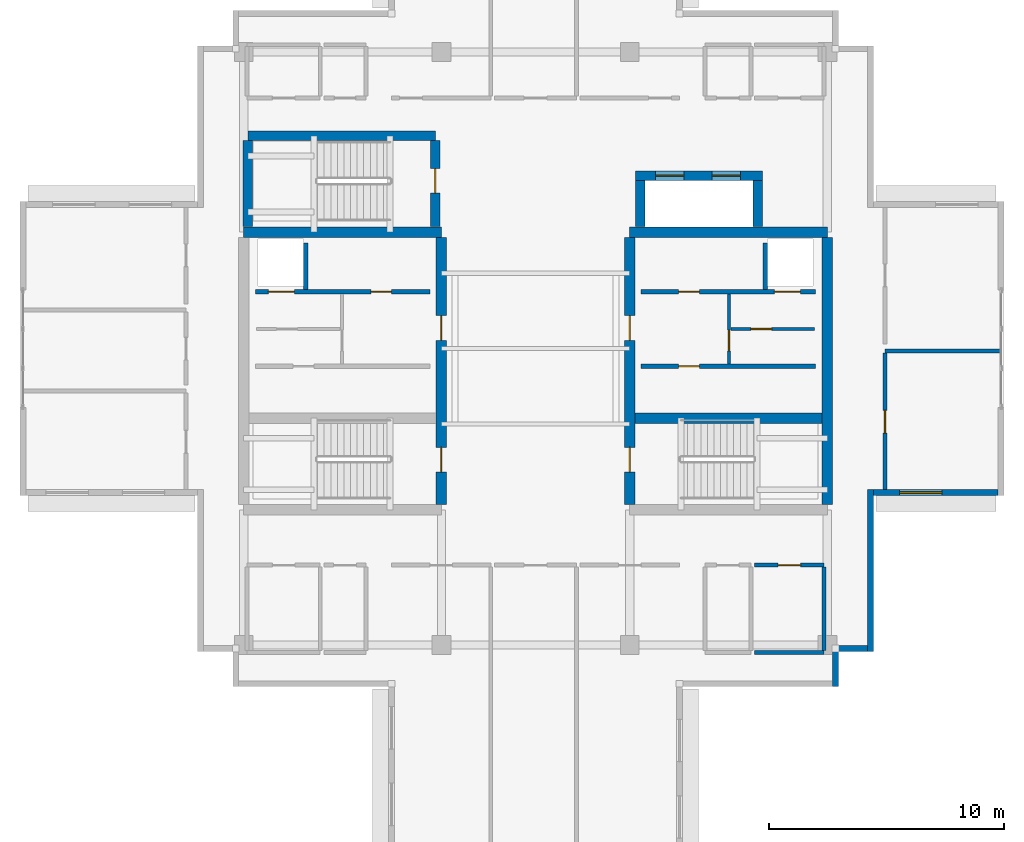
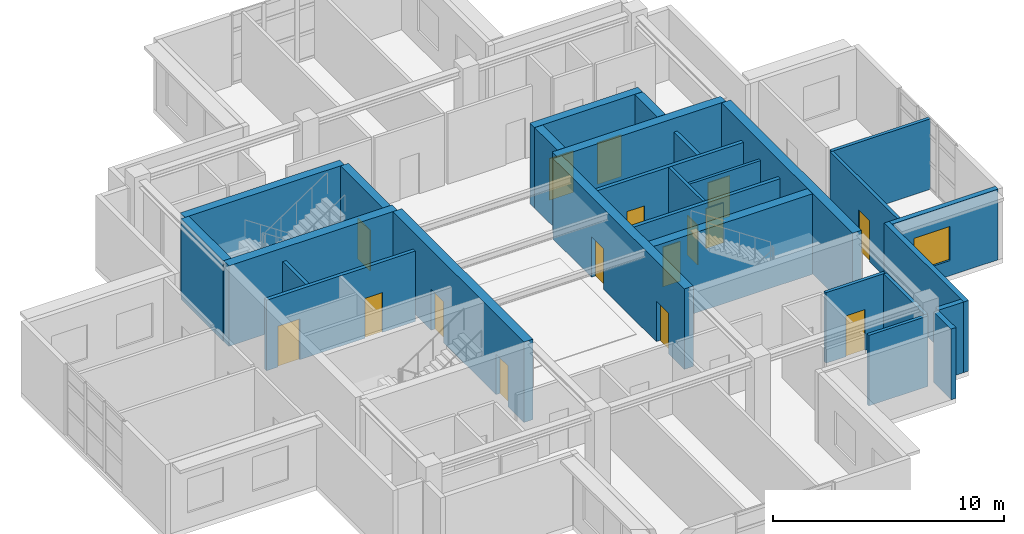
# One storey, part 11 of 16: 28 walls, 16 doors, 1 window, 17 openings.
"""IFC4 building model written with IfcOpenShell, lengths in metres."""

from ifc_helpers import new_model, si_unit, direction, frame, frame_2d, origin, place, context, subcontext, project, spatial, rectangle, extrude, material, layer, layer_set, type_object, element, fill, save


model = new_model("IFC4")

# Units and contexts
model_context = context("Model", 3, precision=1e-05, world=origin(), true_north=direction((0.0, 1.0)))
body_context = subcontext(model_context, "Body", "Model", "MODEL_VIEW")
ifc_project = project(units=[si_unit("LENGTHUNIT", "METRE"), si_unit("AREAUNIT", "SQUARE_METRE"), si_unit("VOLUMEUNIT", "CUBIC_METRE"), si_unit("PLANEANGLEUNIT", "RADIAN"), si_unit("MASSUNIT", "GRAM", prefix="KILO")], contexts=[model_context])

# Site, building, storey
site_placement = place(None, origin())
site = spatial("IfcSite", under=ifc_project, at=site_placement, CompositionType="ELEMENT")
building_placement = place(site_placement, origin())
building = spatial("IfcBuilding", under=site, at=building_placement, Name="Qingluan Cross Belvedere", CompositionType="ELEMENT")
storey_placement = place(building_placement, frame((0.0, 0.0, 308.39990234375)))
storey = spatial("IfcBuildingStorey", under=building, at=storey_placement, Name="L76", CompositionType="ELEMENT", Elevation=308.39990234375)

# Wall
ifc_material_1 = material(Name="Concrete C50", Category="concrete")
ifc_layer_1 = layer(ifc_material_1, 0.449951171875, Name="CoreShearWall_450")
ifc_layer_set_1 = layer_set([ifc_layer_1], Name="Concrete C50")
wall_type_1 = type_object("IfcWallType", Name="CoreShearWall_450", PredefinedType="SHEAR", material=ifc_layer_set_1)
wall_1_placement = place(storey_placement, frame((-12.39990234375, 4.949951171875, 0.0), z_axis=(0.0, 0.0, 1.0), x_axis=(1.0, 0.0, 0.0)))
element("IfcWall", 1, at=wall_1_placement, inside=storey, type_object=wall_type_1, Name="Split core W shear wall L76-N", PredefinedType="SHEAR", context=body_context, shape_type="SweptSolid", body=[
    extrude(rectangle(XDim=8.39990234375, YDim=0.449951171875, at=frame_2d((4.199951171875, 0.0))), origin(), (0.0, 0.0, 1.0), 4.25),
])

# Wall, openings, doors
wall_2_placement = place(storey_placement, frame((-4.0, -6.6201171875, 0.0), z_axis=(0.0, 0.0, 1.0), x_axis=(0.0, 1.0, 0.0)))
wall_2 = element("IfcWall", 2, at=wall_2_placement, inside=storey, type_object=wall_type_1, Name="Split core W shear wall L76-E", PredefinedType="SHEAR", context=body_context, shape_type="SweptSolid", body=[
    extrude(rectangle(XDim=11.340087890625, YDim=0.449951171875, at=frame_2d((5.669921875, 0.0))), origin(), (0.0, 0.0, 1.0), 4.25),
])
opening_1_placement = place(wall_2_placement, frame((1.3701171875, 0.0, 0.0)))
opening_1 = element("IfcOpeningElement", 3, at=opening_1_placement, cuts=wall_2, Name="Opening FD-B11", PredefinedType="OPENING", context=body_context, shape_type="SweptSolid", body=[
    extrude(rectangle(XDim=1.050048828125, YDim=2.14990234375, at=frame_2d((0.52490234375, 1.074951171875))), frame((0.0, 0.23486328125, 0.0), z_axis=(0.0, -1.0, 0.0), x_axis=(1.0, 0.0, 0.0)), (0.0, 0.0, 1.0), 0.469970703125),
])
opening_2_placement = place(wall_2_placement, frame((6.969970703125, 0.0, 0.0)))
opening_2 = element("IfcOpeningElement", 4, at=opening_2_placement, cuts=wall_2, Name="Opening FD-B11", PredefinedType="OPENING", context=body_context, shape_type="SweptSolid", body=[
    extrude(rectangle(XDim=1.050048828125, YDim=2.14990234375, at=frame_2d((0.52490234375, 1.074951171875))), frame((0.0, 0.23486328125, 0.0), z_axis=(0.0, -1.0, 0.0), x_axis=(1.0, 0.0, 0.0)), (0.0, 0.0, 1.0), 0.469970703125),
])
ifc_material_2 = material(Name="Steel Class B smoke-seal fire door", Category="steel")
door_type_1 = type_object("IfcDoorType", Name="StairLobbyFireDoor_FDB", OperationType="NOTDEFINED", PredefinedType="DOOR", material=ifc_material_2)
door_1_placement = place(opening_1_placement, origin())
door_1 = element("IfcDoor", 5, at=door_1_placement, inside=storey, type_object=door_type_1, Name="Smoke-proof stair ST1 fire door L76", OperationType="SINGLE_SWING_RIGHT", OverallHeight=2.14990234375, OverallWidth=1.050048828125, PredefinedType="DOOR", context=body_context, shape_type="SweptSolid", body=[
    extrude(rectangle(XDim=1.050048828125, YDim=2.14990234375, at=frame_2d((0.52490234375, 1.074951171875))), frame((0.0, 0.02490234375, 0.0), z_axis=(0.0, -1.0, 0.0), x_axis=(1.0, 0.0, 0.0)), (0.0, 0.0, 1.0), 0.050048828125),
])
fill(opening_1, door_1)
door_2_placement = place(opening_2_placement, origin())
door_2 = element("IfcDoor", 6, at=door_2_placement, inside=storey, type_object=door_type_1, Name="Firefighting lobby West fire door L76", OperationType="SINGLE_SWING_RIGHT", OverallHeight=2.14990234375, OverallWidth=1.050048828125, PredefinedType="DOOR", context=body_context, shape_type="SweptSolid", body=[
    extrude(rectangle(XDim=1.050048828125, YDim=2.14990234375, at=frame_2d((0.52490234375, 1.074951171875))), frame((0.0, 0.02490234375, 0.0), z_axis=(0.0, -1.0, 0.0), x_axis=(1.0, 0.0, 0.0)), (0.0, 0.0, 1.0), 0.050048828125),
])
fill(opening_2, door_2)

# Wall
wall_3_placement = place(storey_placement, frame((4.0, 4.949951171875, 0.0), z_axis=(0.0, 0.0, 1.0), x_axis=(1.0, 0.0, 0.0)))
element("IfcWall", 7, at=wall_3_placement, inside=storey, type_object=wall_type_1, Name="Split core E shear wall L76-N", PredefinedType="SHEAR", context=body_context, shape_type="SweptSolid", body=[
    extrude(rectangle(XDim=8.39990234375, YDim=0.449951171875, at=frame_2d((4.199951171875, 0.0))), origin(), (0.0, 0.0, 1.0), 4.25),
])

# Wall, openings, doors
wall_4_placement = place(storey_placement, frame((4.0, -6.6201171875, 0.0), z_axis=(0.0, 0.0, 1.0), x_axis=(0.0, 1.0, 0.0)))
wall_4 = element("IfcWall", 8, at=wall_4_placement, inside=storey, type_object=wall_type_1, Name="Split core E shear wall L76-W", PredefinedType="SHEAR", context=body_context, shape_type="SweptSolid", body=[
    extrude(rectangle(XDim=11.340087890625, YDim=0.449951171875, at=frame_2d((5.669921875, 0.0))), origin(), (0.0, 0.0, 1.0), 4.25),
])
opening_3_placement = place(wall_4_placement, frame((1.3701171875, 0.0, 0.0)))
opening_3 = element("IfcOpeningElement", 9, at=opening_3_placement, cuts=wall_4, Name="Opening FD-B11", PredefinedType="OPENING", context=body_context, shape_type="SweptSolid", body=[
    extrude(rectangle(XDim=1.050048828125, YDim=2.14990234375, at=frame_2d((0.52490234375, 1.074951171875))), frame((0.0, 0.23486328125, 0.0), z_axis=(0.0, -1.0, 0.0), x_axis=(1.0, 0.0, 0.0)), (0.0, 0.0, 1.0), 0.469970703125),
])
opening_4_placement = place(wall_4_placement, frame((6.969970703125, 0.0, 0.0)))
opening_4 = element("IfcOpeningElement", 10, at=opening_4_placement, cuts=wall_4, Name="Opening FD-B11", PredefinedType="OPENING", context=body_context, shape_type="SweptSolid", body=[
    extrude(rectangle(XDim=1.050048828125, YDim=2.14990234375, at=frame_2d((0.52490234375, 1.074951171875))), frame((0.0, 0.23486328125, 0.0), z_axis=(0.0, -1.0, 0.0), x_axis=(1.0, 0.0, 0.0)), (0.0, 0.0, 1.0), 0.469970703125),
])
door_3_placement = place(opening_3_placement, origin())
door_3 = element("IfcDoor", 11, at=door_3_placement, inside=storey, type_object=door_type_1, Name="Smoke-proof stair ST2 fire door L76", OperationType="SINGLE_SWING_LEFT", OverallHeight=2.14990234375, OverallWidth=1.050048828125, PredefinedType="DOOR", context=body_context, shape_type="SweptSolid", body=[
    extrude(rectangle(XDim=1.050048828125, YDim=2.14990234375, at=frame_2d((0.52490234375, 1.074951171875))), frame((0.0, 0.02490234375, 0.0), z_axis=(0.0, -1.0, 0.0), x_axis=(1.0, 0.0, 0.0)), (0.0, 0.0, 1.0), 0.050048828125),
])
fill(opening_3, door_3)
door_4_placement = place(opening_4_placement, origin())
door_4 = element("IfcDoor", 12, at=door_4_placement, inside=storey, type_object=door_type_1, Name="Firefighting lobby East fire door L76", OperationType="SINGLE_SWING_LEFT", OverallHeight=2.14990234375, OverallWidth=1.050048828125, PredefinedType="DOOR", context=body_context, shape_type="SweptSolid", body=[
    extrude(rectangle(XDim=1.050048828125, YDim=2.14990234375, at=frame_2d((0.52490234375, 1.074951171875))), frame((0.0, 0.02490234375, 0.0), z_axis=(0.0, -1.0, 0.0), x_axis=(1.0, 0.0, 0.0)), (0.0, 0.0, 1.0), 0.050048828125),
])
fill(opening_4, door_4)

# Walls
wall_5_placement = place(storey_placement, frame((12.39990234375, -6.6201171875, 0.0), z_axis=(0.0, 0.0, 1.0), x_axis=(0.0, 1.0, 0.0)))
element("IfcWall", 13, at=wall_5_placement, inside=storey, type_object=wall_type_1, Name="Split core E shear wall L76-E", PredefinedType="SHEAR", context=body_context, shape_type="SweptSolid", body=[
    extrude(rectangle(XDim=11.340087890625, YDim=0.449951171875, at=frame_2d((5.669921875, 0.0))), origin(), (0.0, 0.0, 1.0), 4.25),
])
wall_6_placement = place(storey_placement, frame((4.22998046875, -2.9599609375, 0.0), z_axis=(0.0, 0.0, 1.0), x_axis=(1.0, 0.0, 0.0)))
element("IfcWall", 14, at=wall_6_placement, inside=storey, type_object=wall_type_1, Name="Split core E shear wall L76-M", PredefinedType="SHEAR", context=body_context, shape_type="SweptSolid", body=[
    extrude(rectangle(XDim=7.93994140625, YDim=0.449951171875, at=frame_2d((3.969970703125, 0.0))), origin(), (0.0, 0.0, 1.0), 4.25),
])
wall_7_placement = place(storey_placement, frame((-12.219970703125, 9.0400390625, 0.0), z_axis=(0.0, 0.0, 1.0), x_axis=(1.0, 0.0, 0.0)))
element("IfcWall", 15, at=wall_7_placement, inside=storey, type_object=wall_type_1, Name="Stair ST3 structural wall N L76", PredefinedType="SHEAR", context=body_context, shape_type="SweptSolid", body=[
    extrude(rectangle(XDim=7.9599609375, YDim=0.39990234375, at=frame_2d((3.97998046875, 0.0))), origin(), (0.0, 0.0, 1.0), 4.25),
])
wall_8_placement = place(storey_placement, frame((-12.219970703125, 5.179931640625, 0.0), z_axis=(0.0, 0.0, 1.0), x_axis=(0.0, 1.0, 0.0)))
element("IfcWall", 16, at=wall_8_placement, inside=storey, type_object=wall_type_1, Name="Stair ST3 structural wall W L76", PredefinedType="SHEAR", context=body_context, shape_type="SweptSolid", body=[
    extrude(rectangle(XDim=3.655029296875, YDim=0.39990234375, at=frame_2d((1.82763671875, 0.0))), origin(), (0.0, 0.0, 1.0), 4.25),
])

# Wall, opening, door
wall_9_placement = place(storey_placement, frame((-4.260009765625, 5.179931640625, 0.0), z_axis=(0.0, 0.0, 1.0), x_axis=(0.0, 1.0, 0.0)))
wall_9 = element("IfcWall", 17, at=wall_9_placement, inside=storey, type_object=wall_type_1, Name="Stair ST3 structural wall E L76", PredefinedType="SHEAR", context=body_context, shape_type="SweptSolid", body=[
    extrude(rectangle(XDim=3.655029296875, YDim=0.39990234375, at=frame_2d((1.82763671875, 0.0))), origin(), (0.0, 0.0, 1.0), 4.25),
])
opening_5_placement = place(wall_9_placement, frame((1.419921875, 0.0, 0.0)))
opening_5 = element("IfcOpeningElement", 18, at=opening_5_placement, cuts=wall_9, Name="Opening FD-B11", PredefinedType="OPENING", context=body_context, shape_type="SweptSolid", body=[
    extrude(rectangle(XDim=1.050048828125, YDim=2.14990234375, at=frame_2d((0.52490234375, 1.074951171875))), frame((0.0, 0.2099609375, 0.0), z_axis=(0.0, -1.0, 0.0), x_axis=(1.0, 0.0, 0.0)), (0.0, 0.0, 1.0), 0.419921875),
])
door_5_placement = place(opening_5_placement, origin())
door_5 = element("IfcDoor", 19, at=door_5_placement, inside=storey, type_object=door_type_1, Name="Smoke-proof stair ST3 fire door L76", OperationType="SINGLE_SWING_RIGHT", OverallHeight=2.14990234375, OverallWidth=1.050048828125, PredefinedType="DOOR", context=body_context, shape_type="SweptSolid", body=[
    extrude(rectangle(XDim=1.050048828125, YDim=2.14990234375, at=frame_2d((0.52490234375, 1.074951171875))), frame((0.0, 0.02490234375, 0.0), z_axis=(0.0, -1.0, 0.0), x_axis=(1.0, 0.0, 0.0)), (0.0, 0.0, 1.0), 0.050048828125),
])
fill(opening_5, door_5)

# Wall
wall_10_placement = place(storey_placement, frame((4.449951171875, 5.179931640625, 0.0), z_axis=(0.0, 0.0, 1.0), x_axis=(0.0, 1.0, 0.0)))
element("IfcWall", 20, at=wall_10_placement, inside=storey, type_object=wall_type_1, Name="Express shuttle core wall L76-W", PredefinedType="SHEAR", context=body_context, shape_type="SweptSolid", body=[
    extrude(rectangle(XDim=1.9599609375, YDim=0.39990234375, at=frame_2d((0.97998046875, 0.0))), origin(), (0.0, 0.0, 1.0), 4.25),
])

# Wall, openings, doors
wall_11_placement = place(storey_placement, frame((4.25, 7.35009765625, 0.0), z_axis=(0.0, 0.0, 1.0), x_axis=(1.0, 0.0, 0.0)))
wall_11 = element("IfcWall", 21, at=wall_11_placement, inside=storey, type_object=wall_type_1, Name="Express shuttle core wall L76-N", PredefinedType="SHEAR", context=body_context, shape_type="SweptSolid", body=[
    extrude(rectangle(XDim=5.39990234375, YDim=0.39990234375, at=frame_2d((2.699951171875, 0.0))), origin(), (0.0, 0.0, 1.0), 4.25),
])
opening_6_placement = place(wall_11_placement, frame((0.85009765625, 0.0, 0.0)))
opening_6 = element("IfcOpeningElement", 22, at=opening_6_placement, cuts=wall_11, Name="Opening LD-12", PredefinedType="OPENING", context=body_context, shape_type="SweptSolid", body=[
    extrude(rectangle(XDim=1.199951171875, YDim=2.199951171875, at=frame_2d((0.60009765625, 1.10009765625))), frame((0.0, 0.2099609375, 0.0), z_axis=(0.0, -1.0, 0.0), x_axis=(1.0, 0.0, 0.0)), (0.0, 0.0, 1.0), 0.419921875),
])
opening_7_placement = place(wall_11_placement, frame((3.25, 0.0, 0.0)))
opening_7 = element("IfcOpeningElement", 23, at=opening_7_placement, cuts=wall_11, Name="Opening LD-12", PredefinedType="OPENING", context=body_context, shape_type="SweptSolid", body=[
    extrude(rectangle(XDim=1.199951171875, YDim=2.199951171875, at=frame_2d((0.60009765625, 1.10009765625))), frame((0.0, 0.2099609375, 0.0), z_axis=(0.0, -1.0, 0.0), x_axis=(1.0, 0.0, 0.0)), (0.0, 0.0, 1.0), 0.419921875),
])
ifc_material_3 = material(Name="Bronze-anodised stainless steel lift landing door", Category="steel")
door_type_2 = type_object("IfcDoorType", Name="ExpressLiftSlidingDoor_1200", OperationType="DOUBLE_DOOR_SLIDING", PredefinedType="DOOR", material=ifc_material_3)
door_6_placement = place(opening_6_placement, origin())
door_6 = element("IfcDoor", 24, at=door_6_placement, inside=storey, type_object=door_type_2, Name="Express shuttle landing sliding door LPX1 L76", OperationType="DOUBLE_DOOR_SLIDING", OverallHeight=2.199951171875, OverallWidth=1.199951171875, PredefinedType="DOOR", context=body_context, shape_type="SweptSolid", body=[
    extrude(rectangle(XDim=1.199951171875, YDim=2.199951171875, at=frame_2d((0.60009765625, 1.10009765625))), frame((0.0, 0.02490234375, 0.0), z_axis=(0.0, -1.0, 0.0), x_axis=(1.0, 0.0, 0.0)), (0.0, 0.0, 1.0), 0.050048828125),
])
fill(opening_6, door_6)
door_7_placement = place(opening_7_placement, origin())
door_7 = element("IfcDoor", 25, at=door_7_placement, inside=storey, type_object=door_type_2, Name="Express shuttle landing sliding door LPX2 L76", OperationType="DOUBLE_DOOR_SLIDING", OverallHeight=2.199951171875, OverallWidth=1.199951171875, PredefinedType="DOOR", context=body_context, shape_type="SweptSolid", body=[
    extrude(rectangle(XDim=1.199951171875, YDim=2.199951171875, at=frame_2d((0.60009765625, 1.10009765625))), frame((0.0, 0.02490234375, 0.0), z_axis=(0.0, -1.0, 0.0), x_axis=(1.0, 0.0, 0.0)), (0.0, 0.0, 1.0), 0.050048828125),
])
fill(opening_7, door_7)

# Wall
wall_12_placement = place(storey_placement, frame((9.449951171875, 5.179931640625, 0.0), z_axis=(0.0, 0.0, 1.0), x_axis=(0.0, 1.0, 0.0)))
element("IfcWall", 26, at=wall_12_placement, inside=storey, type_object=wall_type_1, Name="Express shuttle core wall L76-E", PredefinedType="SHEAR", context=body_context, shape_type="SweptSolid", body=[
    extrude(rectangle(XDim=1.9599609375, YDim=0.39990234375, at=frame_2d((0.97998046875, 0.0))), origin(), (0.0, 0.0, 1.0), 4.25),
])

# Wall, opening, door
ifc_material_4 = material(Name="Gypsum plasterboard on steel stud acoustic partition", Category="steel")
ifc_layer_2 = layer(ifc_material_4, 0.159912109375, Name="CorridorPartition_160")
ifc_layer_set_2 = layer_set([ifc_layer_2], Name="Gypsum plasterboard on steel stud acoustic partition")
wall_type_2 = type_object("IfcWallType", Name="CorridorPartition_160", PredefinedType="PARTITIONING", material=ifc_layer_set_2)
wall_13_placement = place(storey_placement, frame((8.298095703125, 0.830078125, 0.0), z_axis=(0.0, 0.0, 1.0), x_axis=(1.0, 0.0, 0.0)))
wall_13 = element("IfcWall", 27, at=wall_13_placement, inside=storey, type_object=wall_type_2, Name="Partition L76:e", PredefinedType="PARTITIONING", context=body_context, shape_type="SweptSolid", body=[
    extrude(rectangle(XDim=3.552001953125, YDim=0.139892578125, at=frame_2d((1.77587890625, 0.0))), origin(), (0.0, 0.0, 1.0), 3.72021484375),
])
opening_8_placement = place(wall_13_placement, frame((0.85009765625, 0.0, 0.0)))
opening_8 = element("IfcOpeningElement", 28, at=opening_8_placement, cuts=wall_13, Name="Opening FD-B10", PredefinedType="OPENING", context=body_context, shape_type="SweptSolid", body=[
    extrude(rectangle(XDim=0.8798828125, YDim=2.10009765625, at=frame_2d((0.43994140625, 1.050048828125))), frame((0.0, 0.079833984375, 0.0), z_axis=(0.0, -1.0, 0.0), x_axis=(1.0, 0.0, 0.0)), (0.0, 0.0, 1.0), 0.159912109375),
])
ifc_material_5 = material(Name="Steel Class B service fire door", Category="steel")
door_type_3 = type_object("IfcDoorType", Name="RiserServiceFireDoor_FDB", OperationType="NOTDEFINED", PredefinedType="DOOR", material=ifc_material_5)
door_8_placement = place(opening_8_placement, origin())
door_8 = element("IfcDoor", 29, at=door_8_placement, inside=storey, type_object=door_type_3, Name="Service closet inner door L76", OperationType="SINGLE_SWING_RIGHT", OverallHeight=2.10009765625, OverallWidth=0.8798828125, PredefinedType="DOOR", context=body_context, shape_type="SweptSolid", body=[
    extrude(rectangle(XDim=0.8798828125, YDim=2.10009765625, at=frame_2d((0.43994140625, 1.050048828125))), frame((0.0, 0.02490234375, 0.0), z_axis=(0.0, -1.0, 0.0), x_axis=(1.0, 0.0, 0.0)), (0.0, 0.0, 1.0), 0.050048828125),
])
fill(opening_8, door_8)

# Wall
wall_14_placement = place(storey_placement, frame((14.85009765625, -0.10009765625, 0.0), z_axis=(0.0, 0.0, 1.0), x_axis=(1.0, 0.0, 0.0)))
element("IfcWall", 30, at=wall_14_placement, inside=storey, type_object=wall_type_2, Name="Partition L76:sr_e1:N", PredefinedType="PARTITIONING", context=body_context, shape_type="SweptSolid", body=[
    extrude(rectangle(XDim=4.929931640625, YDim=0.159912109375, at=frame_2d((2.46484375, 0.0))), origin(), (0.0, 0.0, 1.0), 3.72021484375),
])

# Wall, opening, door
wall_15_placement = place(storey_placement, frame((14.85009765625, -5.987060546875, 0.0), z_axis=(0.0, 0.0, 1.0), x_axis=(0.0, 1.0, 0.0)))
wall_15 = element("IfcWall", 31, at=wall_15_placement, inside=storey, type_object=wall_type_2, Name="Partition L76:sr_e1:W", PredefinedType="PARTITIONING", context=body_context, shape_type="SweptSolid", body=[
    extrude(rectangle(XDim=5.802001953125, YDim=0.159912109375, at=frame_2d((2.90087890625, 0.0))), origin(), (0.0, 0.0, 1.0), 3.72021484375),
])
opening_9_placement = place(wall_15_placement, frame((2.39697265625, 0.0, 0.0)))
opening_9 = element("IfcOpeningElement", 32, at=opening_9_placement, cuts=wall_15, Name="Opening GD-10", PredefinedType="OPENING", context=body_context, shape_type="SweptSolid", body=[
    extrude(rectangle(XDim=0.9599609375, YDim=2.14990234375, at=frame_2d((0.47998046875, 1.074951171875))), frame((0.0, 0.08984375, 0.0), z_axis=(0.0, -1.0, 0.0), x_axis=(1.0, 0.0, 0.0)), (0.0, 0.0, 1.0), 0.179931640625),
])
ifc_material_6 = material(Name="Timber oak fire-rated acoustic guestroom door", Category="wood")
door_type_4 = type_object("IfcDoorType", Name="GuestEntryDoor_FD60", OperationType="NOTDEFINED", PredefinedType="DOOR", material=ifc_material_6)
door_9_placement = place(opening_9_placement, origin())
door_9 = element("IfcDoor", 33, at=door_9_placement, inside=storey, type_object=door_type_4, Name="Upper sommelier wine room L76 door", OperationType="SINGLE_SWING_LEFT", OverallHeight=2.14990234375, OverallWidth=0.9599609375, PredefinedType="DOOR", context=body_context, shape_type="SweptSolid", body=[
    extrude(rectangle(XDim=0.9599609375, YDim=2.14990234375, at=frame_2d((0.47998046875, 1.074951171875))), frame((0.0, 0.02490234375, 0.0), z_axis=(0.0, -1.0, 0.0), x_axis=(1.0, 0.0, 0.0)), (0.0, 0.0, 1.0), 0.050048828125),
])
fill(opening_9, door_9)

# Wall
wall_16_placement = place(storey_placement, frame((9.31005859375, -12.909912109375, 0.0), z_axis=(0.0, 0.0, 1.0), x_axis=(1.0, 0.0, 0.0)))
element("IfcWall", 34, at=wall_16_placement, inside=storey, type_object=wall_type_2, Name="Partition L76:crown_se2:S", PredefinedType="PARTITIONING", context=body_context, shape_type="SweptSolid", body=[
    extrude(rectangle(XDim=2.949951171875, YDim=0.159912109375, at=frame_2d((1.47509765625, 0.0))), origin(), (0.0, 0.0, 1.0), 3.72021484375),
])

# Wall, opening, door
wall_17_placement = place(storey_placement, frame((9.31005859375, -9.199951171875, 0.0), z_axis=(0.0, 0.0, 1.0), x_axis=(1.0, 0.0, 0.0)))
wall_17 = element("IfcWall", 35, at=wall_17_placement, inside=storey, type_object=wall_type_2, Name="Partition L76:crown_se2:N", PredefinedType="PARTITIONING", context=body_context, shape_type="SweptSolid", body=[
    extrude(rectangle(XDim=2.949951171875, YDim=0.159912109375, at=frame_2d((1.47509765625, 0.0))), origin(), (0.0, 0.0, 1.0), 3.72021484375),
])
opening_10_placement = place(wall_17_placement, frame((0.9951171875, 0.0, 0.0)))
opening_10 = element("IfcOpeningElement", 36, at=opening_10_placement, cuts=wall_17, Name="Opening GD-10", PredefinedType="OPENING", context=body_context, shape_type="SweptSolid", body=[
    extrude(rectangle(XDim=0.9599609375, YDim=2.14990234375, at=frame_2d((0.47998046875, 1.074951171875))), frame((0.0, 0.08984375, 0.0), z_axis=(0.0, -1.0, 0.0), x_axis=(1.0, 0.0, 0.0)), (0.0, 0.0, 1.0), 0.179931640625),
])
door_10_placement = place(opening_10_placement, origin())
door_10 = element("IfcDoor", 37, at=door_10_placement, inside=storey, type_object=door_type_4, Name="Upper service pantry L76 door", OperationType="SINGLE_SWING_RIGHT", OverallHeight=2.14990234375, OverallWidth=0.9599609375, PredefinedType="DOOR", context=body_context, shape_type="SweptSolid", body=[
    extrude(rectangle(XDim=0.9599609375, YDim=2.14990234375, at=frame_2d((0.47998046875, 1.074951171875))), frame((0.0, 0.02490234375, 0.0), z_axis=(0.0, -1.0, 0.0), x_axis=(1.0, 0.0, 0.0)), (0.0, 0.0, 1.0), 0.050048828125),
])
fill(opening_10, door_10)

# Wall
wall_18_placement = place(storey_placement, frame((12.260009765625, -12.824951171875, 0.0), z_axis=(0.0, 0.0, 1.0), x_axis=(0.0, 1.0, 0.0)))
element("IfcWall", 38, at=wall_18_placement, inside=storey, type_object=wall_type_2, Name="Partition L76:crown_se2:E", PredefinedType="PARTITIONING", context=body_context, shape_type="SweptSolid", body=[
    extrude(rectangle(XDim=3.5400390625, YDim=0.159912109375, at=frame_2d((1.77001953125, 0.0))), origin(), (0.0, 0.0, 1.0), 3.72021484375),
])

# Wall, opening, window
ifc_material_7 = material(Name="Precast concrete C45", Category="concrete")
ifc_layer_3 = layer(ifc_material_7, 0.25, Name="PrecastCrownWall_250")
ifc_layer_set_3 = layer_set([ifc_layer_3], Name="Precast concrete C45")
wall_type_3 = type_object("IfcWallType", Name="PrecastCrownWall_250", PredefinedType="STANDARD", material=ifc_layer_set_3)
wall_19_placement = place(storey_placement, frame((14.364990234375, -6.1201171875, 0.0), z_axis=(0.0, 0.0, 1.0), x_axis=(1.0, 0.0, 0.0)))
wall_19 = element("IfcWall", 39, at=wall_19_placement, inside=storey, type_object=wall_type_3, Name="Facade wall L76-EA", PredefinedType="STANDARD", context=body_context, shape_type="SweptSolid", body=[
    extrude(rectangle(XDim=5.2900390625, YDim=0.25, at=frame_2d((2.64501953125, 0.0))), origin(), (0.0, 0.0, 1.0), 3.72998046875),
])
opening_11_placement = place(wall_19_placement, frame((1.10009765625, 0.0, 0.800048828125)))
opening_11 = element("IfcOpeningElement", 40, at=opening_11_placement, cuts=wall_19, Name="Opening W-05", PredefinedType="OPENING", context=body_context, shape_type="SweptSolid", body=[
    extrude(rectangle(XDim=1.800048828125, YDim=1.800048828125, at=frame_2d((0.89990234375, 0.89990234375))), frame((0.0, 0.135009765625, 0.0), z_axis=(0.0, -1.0, 0.0), x_axis=(1.0, 0.0, 0.0)), (0.0, 0.0, 1.0), 0.27001953125),
])
ifc_material_8 = material(Name="Thermally broken triple Low-E glass in aluminium frame", Category="aluminium")
window_type = type_object("IfcWindowType", Name="CrownBelvedereWin_1800x1800", PartitioningType="SINGLE_PANEL", PredefinedType="WINDOW", material=ifc_material_8)
window_placement = place(opening_11_placement, origin())
window = element("IfcWindow", 41, at=window_placement, inside=storey, type_object=window_type, Name="Ribbon window L76-EA-1", OverallHeight=1.800048828125, OverallWidth=1.800048828125, PartitioningType="SINGLE_PANEL", PredefinedType="WINDOW", context=body_context, shape_type="SweptSolid", body=[
    extrude(rectangle(XDim=1.800048828125, YDim=1.800048828125, at=frame_2d((0.89990234375, 0.89990234375))), frame((0.0, 0.030029296875, 0.0), z_axis=(0.0, -1.0, 0.0), x_axis=(1.0, 0.0, 0.0)), (0.0, 0.0, 1.0), 0.06005859375),
])
fill(opening_11, window)

# Walls
wall_20_placement = place(storey_placement, frame((14.239990234375, -5.9951171875, 0.0), z_axis=(0.0, 0.0, 1.0), x_axis=(0.0, -1.0, 0.0)))
element("IfcWall", 42, at=wall_20_placement, inside=storey, type_object=wall_type_3, Name="Corner wall L76-SE1", PredefinedType="STANDARD", context=body_context, shape_type="SweptSolid", body=[
    extrude(rectangle(XDim=6.869873046875, YDim=0.25, at=frame_2d((3.43505859375, 0.0))), origin(), (0.0, 0.0, 1.0), 3.72998046875),
])
wall_21_placement = place(storey_placement, frame((14.114990234375, -12.739990234375, 0.0), z_axis=(0.0, 0.0, 1.0), x_axis=(-1.0, 0.0, 0.0)))
element("IfcWall", 43, at=wall_21_placement, inside=storey, type_object=wall_type_3, Name="Corner wall L76-SE2", PredefinedType="STANDARD", context=body_context, shape_type="SweptSolid", body=[
    extrude(rectangle(XDim=1.25, YDim=0.25, at=frame_2d((0.625, 0.0))), origin(), (0.0, 0.0, 1.0), 3.72998046875),
])
wall_22_placement = place(storey_placement, frame((12.739990234375, -12.864990234375, 0.0), z_axis=(0.0, 0.0, 1.0), x_axis=(0.0, -1.0, 0.0)))
element("IfcWall", 44, at=wall_22_placement, inside=storey, type_object=wall_type_3, Name="Corner wall L76-SE3", PredefinedType="STANDARD", context=body_context, shape_type="SweptSolid", body=[
    extrude(rectangle(XDim=1.5, YDim=0.25, at=frame_2d((0.75, 0.0))), origin(), (0.0, 0.0, 1.0), 3.72998046875),
])

# Wall, openings, doors
ifc_material_9 = material(Name="Concrete C40", Category="concrete")
ifc_layer_4 = layer(ifc_material_9, 0.219970703125, Name="ShaftEnclosureWall_250")
ifc_layer_set_4 = layer_set([ifc_layer_4], Name="Concrete C40")
wall_type_4 = type_object("IfcWallType", Name="ShaftEnclosureWall_250", PredefinedType="SOLIDWALL", material=ifc_layer_set_4)
wall_23_placement = place(storey_placement, frame((-11.89990234375, 2.409912109375, 0.0), z_axis=(0.0, 0.0, 1.0), x_axis=(1.0, 0.0, 0.0)))
wall_23 = element("IfcWall", 45, at=wall_23_placement, inside=storey, type_object=wall_type_4, Name="Core-W north hoistway wall L76", PredefinedType="SOLIDWALL", context=body_context, shape_type="SweptSolid", body=[
    extrude(rectangle(XDim=7.419921875, YDim=0.179931640625, at=frame_2d((3.7099609375, 0.0))), origin(), (0.0, 0.0, 1.0), 3.72021484375),
])
opening_12_placement = place(wall_23_placement, frame((0.550048828125, 0.0, 0.0)))
opening_12 = element("IfcOpeningElement", 46, at=opening_12_placement, cuts=wall_23, Name="Opening LD-11", PredefinedType="OPENING", context=body_context, shape_type="SweptSolid", body=[
    extrude(rectangle(XDim=1.10009765625, YDim=2.14990234375, at=frame_2d((0.550048828125, 1.074951171875))), frame((0.0, 0.099853515625, 0.0), z_axis=(0.0, -1.0, 0.0), x_axis=(1.0, 0.0, 0.0)), (0.0, 0.0, 1.0), 0.199951171875),
])
opening_13_placement = place(wall_23_placement, frame((4.89990234375, 0.0, 0.0)))
opening_13 = element("IfcOpeningElement", 47, at=opening_13_placement, cuts=wall_23, Name="Opening FD-B10", PredefinedType="OPENING", context=body_context, shape_type="SweptSolid", body=[
    extrude(rectangle(XDim=0.8798828125, YDim=2.10009765625, at=frame_2d((0.43994140625, 1.050048828125))), frame((0.0, 0.099853515625, 0.0), z_axis=(0.0, -1.0, 0.0), x_axis=(1.0, 0.0, 0.0)), (0.0, 0.0, 1.0), 0.199951171875),
])
ifc_material_10 = material(Name="Brushed stainless steel centre-opening lift landing door", Category="steel")
door_type_5 = type_object("IfcDoorType", Name="LiftLandingSlidingDoor_1100", OperationType="DOUBLE_DOOR_SLIDING", PredefinedType="DOOR", material=ifc_material_10)
door_11_placement = place(opening_12_placement, origin())
door_11 = element("IfcDoor", 48, at=door_11_placement, inside=storey, type_object=door_type_5, Name="Lift landing sliding door FL1 L76", OperationType="DOUBLE_DOOR_SLIDING", OverallHeight=2.14990234375, OverallWidth=1.10009765625, PredefinedType="DOOR", context=body_context, shape_type="SweptSolid", body=[
    extrude(rectangle(XDim=1.10009765625, YDim=2.14990234375, at=frame_2d((0.550048828125, 1.074951171875))), frame((0.0, 0.02490234375, 0.0), z_axis=(0.0, -1.0, 0.0), x_axis=(1.0, 0.0, 0.0)), (0.0, 0.0, 1.0), 0.050048828125),
])
fill(opening_12, door_11)
door_12_placement = place(opening_13_placement, origin())
door_12 = element("IfcDoor", 49, at=door_12_placement, inside=storey, type_object=door_type_3, Name="Housekeeping supply room door W L76", OperationType="SINGLE_SWING_LEFT", OverallHeight=2.10009765625, OverallWidth=0.8798828125, PredefinedType="DOOR", context=body_context, shape_type="SweptSolid", body=[
    extrude(rectangle(XDim=0.8798828125, YDim=2.10009765625, at=frame_2d((0.43994140625, 1.050048828125))), frame((0.0, 0.02490234375, 0.0), z_axis=(0.0, -1.0, 0.0), x_axis=(1.0, 0.0, 0.0)), (0.0, 0.0, 1.0), 0.050048828125),
])
fill(opening_13, door_12)

wall_24_placement = place(storey_placement, frame((4.47998046875, 2.409912109375, 0.0), z_axis=(0.0, 0.0, 1.0), x_axis=(1.0, 0.0, 0.0)))
wall_24 = element("IfcWall", 50, at=wall_24_placement, inside=storey, type_object=wall_type_4, Name="Core-E north hoistway wall L76", PredefinedType="SOLIDWALL", context=body_context, shape_type="SweptSolid", body=[
    extrude(rectangle(XDim=7.419921875, YDim=0.179931640625, at=frame_2d((3.7099609375, 0.0))), origin(), (0.0, 0.0, 1.0), 3.72021484375),
])
opening_14_placement = place(wall_24_placement, frame((5.669921875, 0.0, 0.0)))
opening_14 = element("IfcOpeningElement", 51, at=opening_14_placement, cuts=wall_24, Name="Opening LD-11", PredefinedType="OPENING", context=body_context, shape_type="SweptSolid", body=[
    extrude(rectangle(XDim=1.10009765625, YDim=2.14990234375, at=frame_2d((0.550048828125, 1.074951171875))), frame((0.0, 0.099853515625, 0.0), z_axis=(0.0, -1.0, 0.0), x_axis=(1.0, 0.0, 0.0)), (0.0, 0.0, 1.0), 0.199951171875),
])
opening_15_placement = place(wall_24_placement, frame((1.60009765625, 0.0, 0.0)))
opening_15 = element("IfcOpeningElement", 52, at=opening_15_placement, cuts=wall_24, Name="Opening FD-B10", PredefinedType="OPENING", context=body_context, shape_type="SweptSolid", body=[
    extrude(rectangle(XDim=0.8798828125, YDim=2.10009765625, at=frame_2d((0.43994140625, 1.050048828125))), frame((0.0, 0.099853515625, 0.0), z_axis=(0.0, -1.0, 0.0), x_axis=(1.0, 0.0, 0.0)), (0.0, 0.0, 1.0), 0.199951171875),
])
door_13_placement = place(opening_14_placement, origin())
door_13 = element("IfcDoor", 53, at=door_13_placement, inside=storey, type_object=door_type_5, Name="Lift landing sliding door FL2 L76", OperationType="DOUBLE_DOOR_SLIDING", OverallHeight=2.14990234375, OverallWidth=1.10009765625, PredefinedType="DOOR", context=body_context, shape_type="SweptSolid", body=[
    extrude(rectangle(XDim=1.10009765625, YDim=2.14990234375, at=frame_2d((0.550048828125, 1.074951171875))), frame((0.0, 0.02490234375, 0.0), z_axis=(0.0, -1.0, 0.0), x_axis=(1.0, 0.0, 0.0)), (0.0, 0.0, 1.0), 0.050048828125),
])
fill(opening_14, door_13)
door_14_placement = place(opening_15_placement, origin())
door_14 = element("IfcDoor", 54, at=door_14_placement, inside=storey, type_object=door_type_3, Name="Pantry room door E L76", OperationType="SINGLE_SWING_RIGHT", OverallHeight=2.10009765625, OverallWidth=0.8798828125, PredefinedType="DOOR", context=body_context, shape_type="SweptSolid", body=[
    extrude(rectangle(XDim=0.8798828125, YDim=2.10009765625, at=frame_2d((0.43994140625, 1.050048828125))), frame((0.0, 0.02490234375, 0.0), z_axis=(0.0, -1.0, 0.0), x_axis=(1.0, 0.0, 0.0)), (0.0, 0.0, 1.0), 0.050048828125),
])
fill(opening_15, door_14)

# Wall, opening, door
wall_25_placement = place(storey_placement, frame((4.47998046875, -0.75, 0.0), z_axis=(0.0, 0.0, 1.0), x_axis=(1.0, 0.0, 0.0)))
wall_25 = element("IfcWall", 55, at=wall_25_placement, inside=storey, type_object=wall_type_4, Name="Core-E mid hoistway wall L76", PredefinedType="SOLIDWALL", context=body_context, shape_type="SweptSolid", body=[
    extrude(rectangle(XDim=7.419921875, YDim=0.179931640625, at=frame_2d((3.7099609375, 0.0))), origin(), (0.0, 0.0, 1.0), 3.72021484375),
])
opening_16_placement = place(wall_25_placement, frame((1.60009765625, 0.0, 0.0)))
opening_16 = element("IfcOpeningElement", 56, at=opening_16_placement, cuts=wall_25, Name="Opening FD-B10", PredefinedType="OPENING", context=body_context, shape_type="SweptSolid", body=[
    extrude(rectangle(XDim=0.8798828125, YDim=2.10009765625, at=frame_2d((0.43994140625, 1.050048828125))), frame((0.0, 0.099853515625, 0.0), z_axis=(0.0, -1.0, 0.0), x_axis=(1.0, 0.0, 0.0)), (0.0, 0.0, 1.0), 0.199951171875),
])
door_15_placement = place(opening_16_placement, origin())
door_15 = element("IfcDoor", 57, at=door_15_placement, inside=storey, type_object=door_type_3, Name="Upper-zone linen store door L76", OperationType="SINGLE_SWING_RIGHT", OverallHeight=2.10009765625, OverallWidth=0.8798828125, PredefinedType="DOOR", context=body_context, shape_type="SweptSolid", body=[
    extrude(rectangle(XDim=0.8798828125, YDim=2.10009765625, at=frame_2d((0.43994140625, 1.050048828125))), frame((0.0, 0.02490234375, 0.0), z_axis=(0.0, -1.0, 0.0), x_axis=(1.0, 0.0, 0.0)), (0.0, 0.0, 1.0), 0.050048828125),
])
fill(opening_16, door_15)

# Walls
for number, where, z_axis, x_axis, name in (
    (58, (-9.760009765625, 2.5, 0.0), (0.0, 0.0, 1.0), (0.0, 1.0, 0.0), "Hoistway enclosure divider FL1E L76"),
    (59, (9.760009765625, 2.5, 0.0), (0.0, 0.0, 1.0), (0.0, 1.0, 0.0), "Hoistway enclosure divider FL2W L76"),
):
    element("IfcWall", number, at=place(storey_placement, frame(where, z_axis=z_axis, x_axis=x_axis)), inside=storey, type_object=wall_type_4, Name=name, PredefinedType="SOLIDWALL", context=body_context, shape_type="SweptSolid", body=[
        extrude(rectangle(XDim=1.989990234375, YDim=0.179931640625, at=frame_2d((0.9951171875, 0.0))), origin(), (0.0, 0.0, 1.0), 3.72021484375),
    ])

# Wall, opening, door
wall_26_placement = place(storey_placement, frame((8.219970703125, -0.64990234375, 0.0), z_axis=(0.0, 0.0, 1.0), x_axis=(0.0, 1.0, 0.0)))
wall_26 = element("IfcWall", 60, at=wall_26_placement, inside=storey, type_object=wall_type_4, Name="Core-E service corridor wall L76", PredefinedType="SOLIDWALL", context=body_context, shape_type="SweptSolid", body=[
    extrude(rectangle(XDim=2.9599609375, YDim=0.139892578125, at=frame_2d((1.47998046875, 0.0))), origin(), (0.0, 0.0, 1.0), 3.72021484375),
])
opening_17_placement = place(wall_26_placement, frame((0.550048828125, 0.0, 0.0)))
opening_17 = element("IfcOpeningElement", 61, at=opening_17_placement, cuts=wall_26, Name="Opening FD-B10", PredefinedType="OPENING", context=body_context, shape_type="SweptSolid", body=[
    extrude(rectangle(XDim=0.8798828125, YDim=2.10009765625, at=frame_2d((0.43994140625, 1.050048828125))), frame((0.0, 0.079833984375, 0.0), z_axis=(0.0, -1.0, 0.0), x_axis=(1.0, 0.0, 0.0)), (0.0, 0.0, 1.0), 0.159912109375),
])
door_16_placement = place(opening_17_placement, origin())
door_16 = element("IfcDoor", 62, at=door_16_placement, inside=storey, type_object=door_type_3, Name="Core-E service room door L76", OperationType="SINGLE_SWING_RIGHT", OverallHeight=2.10009765625, OverallWidth=0.8798828125, PredefinedType="DOOR", context=body_context, shape_type="SweptSolid", body=[
    extrude(rectangle(XDim=0.8798828125, YDim=2.10009765625, at=frame_2d((0.43994140625, 1.050048828125))), frame((0.0, 0.02490234375, 0.0), z_axis=(0.0, -1.0, 0.0), x_axis=(1.0, 0.0, 0.0)), (0.0, 0.0, 1.0), 0.050048828125),
])
fill(opening_17, door_16)

save(model, "model.ifc")
